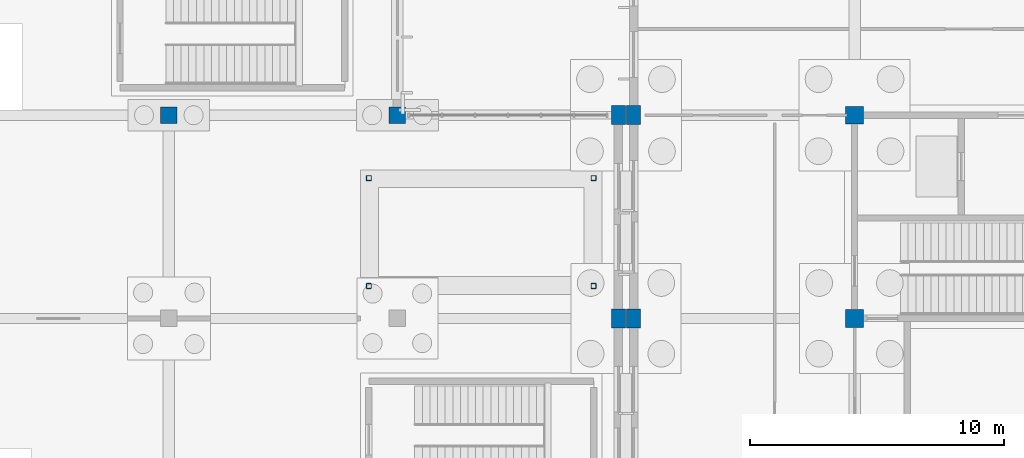
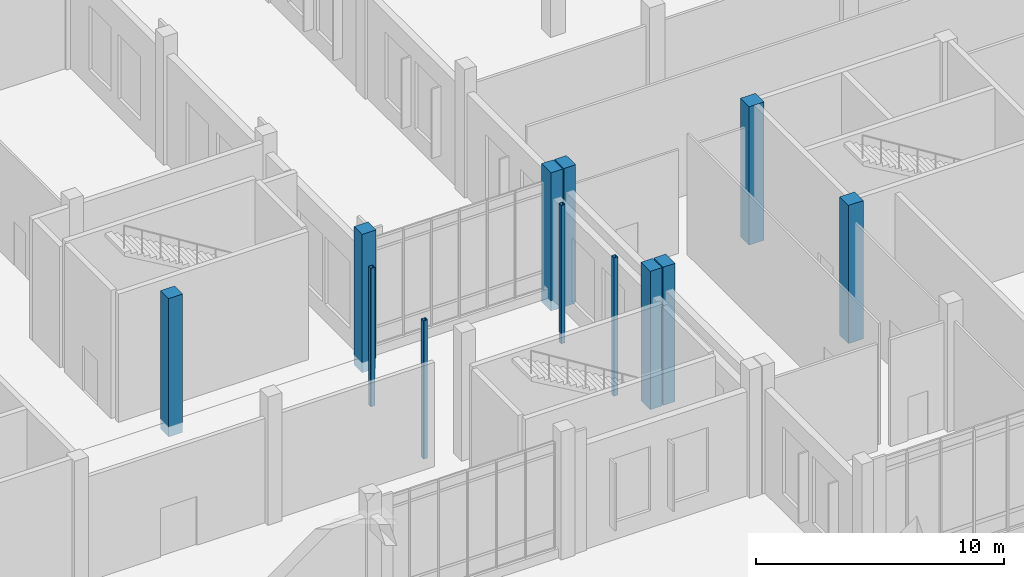
# One storey, part 31 of 99: 12 columns.
"""IFC4 building model written with IfcOpenShell, lengths in metres."""

from ifc_helpers import new_model, si_unit, direction, frame, origin, origin_2d, place, context, subcontext, project, spatial, rectangle, hollow_rectangle, extrude, material, material_profile, profile_set, type_object, element, save


model = new_model("IFC4")

# Units and contexts
model_context = context("Model", 3, precision=1e-05, world=origin(), true_north=direction((0.0, 1.0)))
body_context = subcontext(model_context, "Body", "Model", "MODEL_VIEW")
ifc_project = project(units=[si_unit("LENGTHUNIT", "METRE"), si_unit("AREAUNIT", "SQUARE_METRE"), si_unit("VOLUMEUNIT", "CUBIC_METRE"), si_unit("PLANEANGLEUNIT", "RADIAN"), si_unit("MASSUNIT", "GRAM", prefix="KILO")], contexts=[model_context])

# Site, building, storey
site_placement = place(None, origin())
site = spatial("IfcSite", under=ifc_project, at=site_placement, CompositionType="ELEMENT")
building_placement = place(site_placement, origin())
building = spatial("IfcBuilding", under=site, at=building_placement, Name="Zacnel Wholesale Market", CompositionType="ELEMENT")
storey_placement = place(building_placement, origin())
storey = spatial("IfcBuildingStorey", under=building, at=storey_placement, Name="L01", CompositionType="ELEMENT", Elevation=0.0)

# Columns
ifc_material_1 = material(Name="Precast concrete C45/55", Category="concrete")
ifc_material_profile_1 = material_profile(ifc_material_1, rectangle(XDim=0.550048828125, YDim=0.75, at=origin_2d()), Name="PC 550x750")
ifc_profile_set_1 = profile_set([ifc_material_profile_1], Name="Precast concrete C45/55")
column_type_1 = type_object("IfcColumnType", Name="COL-MJ550X750", PredefinedType="COLUMN", material=ifc_profile_set_1)
for number, where, z_axis, x_axis, name in (
    (1, (143.699951171875, 16.0, -0.5), (0.0, 0.0, 1.0), (1.0, 0.0, 0.0), "Precast column L01-0231"),
    (2, (143.699951171875, 24.0, -0.5), (0.0, 0.0, 1.0), (1.0, 0.0, 0.0), "Precast column L01-0232"),
    (3, (144.300048828125, 16.0, -0.5), (0.0, 0.0, 1.0), (1.0, 0.0, 0.0), "Precast column L01-0238"),
    (4, (144.300048828125, 24.0, -0.5), (0.0, 0.0, 1.0), (1.0, 0.0, 0.0), "Precast column L01-0239"),
):
    element("IfcColumn", number, at=place(storey_placement, frame(where, z_axis=z_axis, x_axis=x_axis)), inside=storey, type_object=column_type_1, Name=name, PredefinedType="COLUMN", context=body_context, shape_type="SweptSolid", body=[
        extrude(rectangle(XDim=0.550048828125, YDim=0.75, at=origin_2d()), origin(), (0.0, 0.0, 1.0), 6.800048828125),
    ])
ifc_material_2 = material(Name="Precast concrete C45/55", Category="concrete")
ifc_material_profile_2 = material_profile(ifc_material_2, rectangle(XDim=0.64990234375, YDim=0.64990234375, at=origin_2d()), Name="PC 650x650")
ifc_profile_set_2 = profile_set([ifc_material_profile_2], Name="Precast concrete C45/55")
column_type_2 = type_object("IfcColumnType", Name="COL-PC650", PredefinedType="COLUMN", material=ifc_profile_set_2)
for number, where, z_axis, x_axis, name in (
    (5, (126.0, 24.0, -0.5), (0.0, 0.0, 1.0), (1.0, 0.0, 0.0), "Precast column L01-0210"),
    (6, (135.0, 24.0, -0.5), (0.0, 0.0, 1.0), (1.0, 0.0, 0.0), "Precast column L01-0221"),
):
    element("IfcColumn", number, at=place(storey_placement, frame(where, z_axis=z_axis, x_axis=x_axis)), inside=storey, type_object=column_type_2, Name=name, PredefinedType="COLUMN", context=body_context, shape_type="SweptSolid", body=[
        extrude(rectangle(XDim=0.64990234375, YDim=0.64990234375, at=origin_2d()), origin(), (0.0, 0.0, 1.0), 6.800048828125),
    ])
ifc_material_3 = material(Name="Precast concrete C45/55", Category="concrete")
ifc_material_profile_3 = material_profile(ifc_material_3, rectangle(XDim=0.699951171875, YDim=0.699951171875, at=origin_2d()), Name="PC 700x700")
ifc_profile_set_3 = profile_set([ifc_material_profile_3], Name="Precast concrete C45/55")
column_type_3 = type_object("IfcColumnType", Name="COL-PC700", PredefinedType="COLUMN", material=ifc_profile_set_3)
for number, where, z_axis, x_axis, name in (
    (7, (153.0, 16.0, -0.5), (0.0, 0.0, 1.0), (1.0, 0.0, 0.0), "Precast column L01-0254"),
    (8, (153.0, 24.0, -0.5), (0.0, 0.0, 1.0), (1.0, 0.0, 0.0), "Precast column L01-0255"),
):
    element("IfcColumn", number, at=place(storey_placement, frame(where, z_axis=z_axis, x_axis=x_axis)), inside=storey, type_object=column_type_3, Name=name, PredefinedType="COLUMN", context=body_context, shape_type="SweptSolid", body=[
        extrude(rectangle(XDim=0.699951171875, YDim=0.699951171875, at=origin_2d()), origin(), (0.0, 0.0, 1.0), 6.800048828125),
    ])
ifc_material_4 = material(Name="Steel S355", Category="steel")
ifc_material_profile_4 = material_profile(ifc_material_4, hollow_rectangle(XDim=0.199951171875, YDim=0.199951171875, WallThickness=0.010009765625, InnerFilletRadius=0.010009765625, OuterFilletRadius=0.02001953125, at=origin_2d()), Name="HSS 200x200x10")
ifc_profile_set_4 = profile_set([ifc_material_profile_4], Name="Steel S355")
column_type_4 = type_object("IfcColumnType", Name="COL-STL-HSS200", PredefinedType="COLUMN", material=ifc_profile_set_4)
for number, where, z_axis, x_axis, name in (
    (9, (133.875, 17.27490234375, -0.5), (0.0, 0.0, 1.0), (1.0, 0.0, 0.0), "Stair ST-25 shaft support column L01-1"),
    (10, (142.72509765625, 17.27490234375, -0.5), (0.0, 0.0, 1.0), (1.0, 0.0, 0.0), "Stair ST-25 shaft support column L01-2"),
    (11, (133.875, 21.52490234375, -0.5), (0.0, 0.0, 1.0), (1.0, 0.0, 0.0), "Stair ST-25 shaft support column L01-3"),
    (12, (142.72509765625, 21.52490234375, -0.5), (0.0, 0.0, 1.0), (1.0, 0.0, 0.0), "Stair ST-25 shaft support column L01-4"),
):
    element("IfcColumn", number, at=place(storey_placement, frame(where, z_axis=z_axis, x_axis=x_axis)), inside=storey, type_object=column_type_4, Name=name, PredefinedType="COLUMN", context=body_context, shape_type="SweptSolid", body=[
        extrude(hollow_rectangle(XDim=0.199951171875, YDim=0.199951171875, WallThickness=0.010009765625, InnerFilletRadius=0.010009765625, OuterFilletRadius=0.02001953125, at=origin_2d()), origin(), (0.0, 0.0, 1.0), 6.800048828125),
    ])

save(model, "model.ifc")
